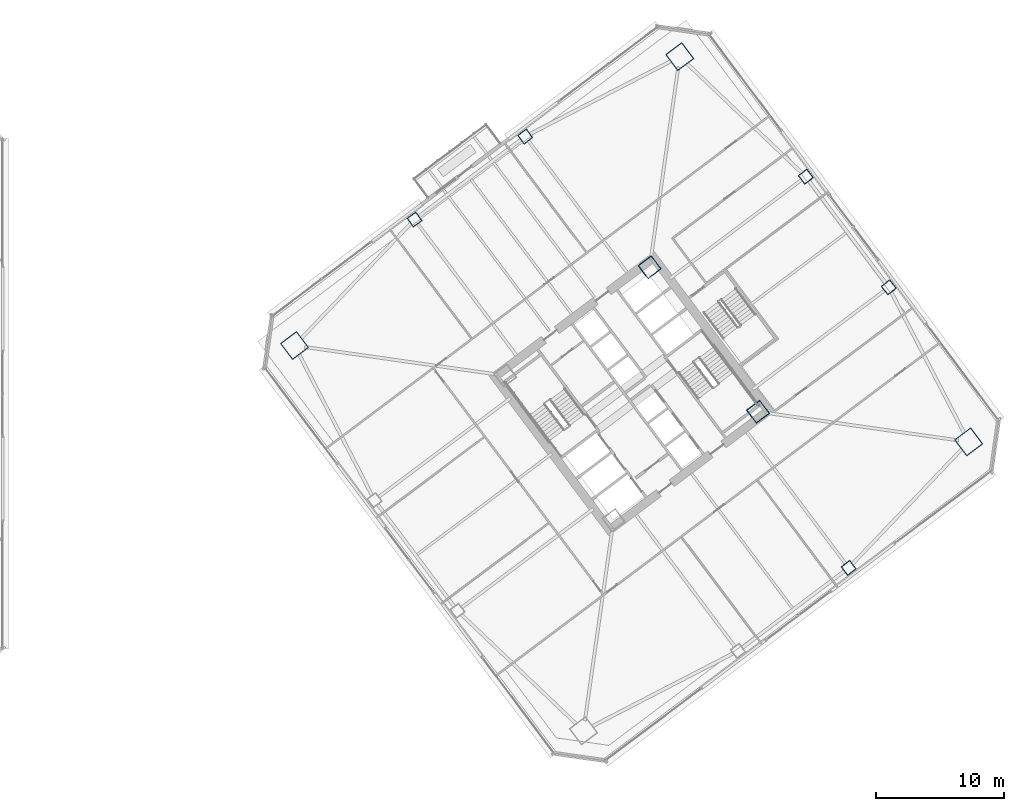
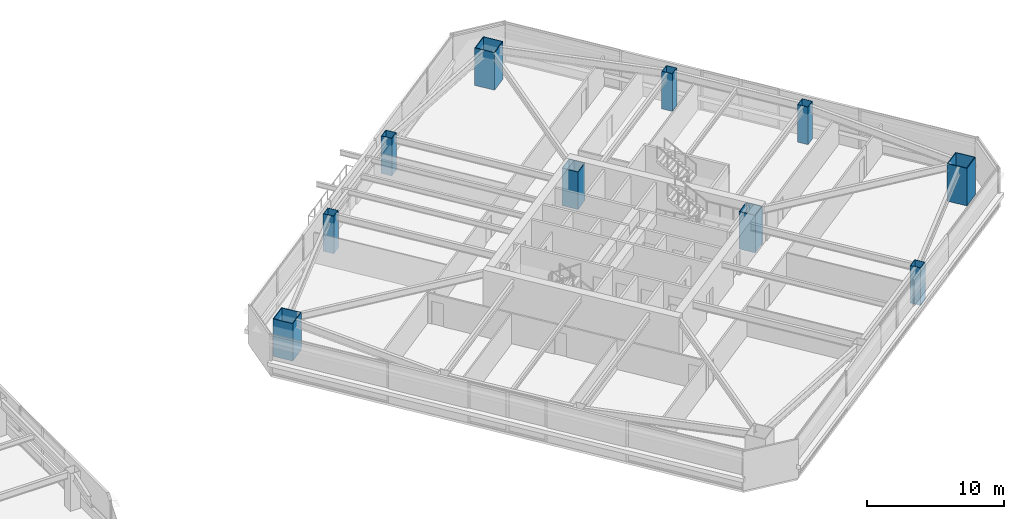
# One storey, part 2 of 45: 10 columns.
"""IFC4 building model written with IfcOpenShell, lengths in metres."""

from ifc_helpers import new_model, si_unit, direction, frame, origin, origin_2d, place, context, subcontext, project, spatial, hollow_rectangle, extrude, material, material_profile, profile_set, type_object, element, save


model = new_model("IFC4")

# Units and contexts
model_context = context("Model", 3, precision=1e-05, world=origin(), true_north=direction((0.0, 1.0)))
body_context = subcontext(model_context, "Body", "Model", "MODEL_VIEW")
ifc_project = project(units=[si_unit("LENGTHUNIT", "METRE"), si_unit("AREAUNIT", "SQUARE_METRE"), si_unit("VOLUMEUNIT", "CUBIC_METRE"), si_unit("PLANEANGLEUNIT", "RADIAN"), si_unit("MASSUNIT", "GRAM", prefix="KILO")], contexts=[model_context])

# Site, building, storey
site_placement = place(None, origin())
site = spatial("IfcSite", under=ifc_project, at=site_placement, CompositionType="ELEMENT")
building_placement = place(site_placement, origin())
building = spatial("IfcBuilding", under=site, at=building_placement, Name="Tashvorn Skyway Center", CompositionType="ELEMENT")
storey_placement = place(building_placement, frame((0.0, 0.0, 35.25)))
storey = spatial("IfcBuildingStorey", under=building, at=storey_placement, Name="L08", CompositionType="ELEMENT", Elevation=35.25)

# Columns
ifc_material = material(Name="Steel ASTM A572 Grade 50", Category="steel")
ifc_material_profile_1 = material_profile(ifc_material, hollow_rectangle(XDim=1.300048828125, YDim=1.300048828125, WallThickness=0.050048828125, at=origin_2d()), Name="BOX1300x1300x50")
ifc_profile_set_1 = profile_set([ifc_material_profile_1], Name="Steel ASTM A572 Grade 50")
column_type_1 = type_object("IfcColumnType", Name="COL-BOX1300x1300x50", PredefinedType="COLUMN", material=ifc_profile_set_1)
for number, where, z_axis, x_axis, name in (
    (1, (123.8701171875, 30.590087890625, 0.0), (0.0, 0.0, 1.0), (0.799999996291, 0.600000004945, 0.0), "Tower 2 L08 Core Corner Column CC-SE"),
    (2, (115.409912109375, 41.8701171875, 0.0), (0.0, 0.0, 1.0), (0.799999996291, 0.600000004945, 0.0), "Tower 2 L08 Core Corner Column CC-NE"),
):
    element("IfcColumn", number, at=place(storey_placement, frame(where, z_axis=z_axis, x_axis=x_axis)), inside=storey, type_object=column_type_1, Name=name, PredefinedType="COLUMN", context=body_context, shape_type="SweptSolid", body=[
        extrude(hollow_rectangle(XDim=1.300048828125, YDim=1.300048828125, WallThickness=0.050048828125, at=origin_2d()), origin(), (0.0, 0.0, 1.0), 3.35009765625),
    ])
ifc_material_profile_2 = material_profile(ifc_material, hollow_rectangle(XDim=1.60009765625, YDim=1.60009765625, WallThickness=0.06005859375, at=origin_2d()), Name="BOX1600x1600x60")
ifc_profile_set_2 = profile_set([ifc_material_profile_2], Name="Steel ASTM A572 Grade 50")
column_type_2 = type_object("IfcColumnType", Name="COL-BOX1600x1600x60", PredefinedType="COLUMN", material=ifc_profile_set_2)
for number, where, z_axis, x_axis, name in (
    (3, (140.320068359375, 28.239990234375, 0.0), (0.0, 0.0, 1.0), (0.799999996291, 0.600000004945, 0.0), "Tower 2 L08 Mega-Column MC-SE"),
    (4, (117.760009765625, 58.320068359375, 0.0), (0.0, 0.0, 1.0), (0.799999996291, 0.600000004945, 0.0), "Tower 2 L08 Mega-Column MC-NE"),
    (5, (87.679931640625, 35.760009765625, 0.0), (0.0, 0.0, 1.0), (0.799999996291, 0.600000004945, 0.0), "Tower 2 L08 Mega-Column MC-NW"),
):
    element("IfcColumn", number, at=place(storey_placement, frame(where, z_axis=z_axis, x_axis=x_axis)), inside=storey, type_object=column_type_2, Name=name, PredefinedType="COLUMN", context=body_context, shape_type="SweptSolid", body=[
        extrude(hollow_rectangle(XDim=1.60009765625, YDim=1.60009765625, WallThickness=0.06005859375, at=origin_2d()), origin(), (0.0, 0.0, 1.0), 3.35009765625),
    ])
ifc_material_profile_3 = material_profile(ifc_material, hollow_rectangle(XDim=0.85009765625, YDim=0.85009765625, WallThickness=0.034912109375, at=origin_2d()), Name="BOX850x850x35")
ifc_profile_set_3 = profile_set([ifc_material_profile_3], Name="Steel ASTM A572 Grade 50")
column_type_3 = type_object("IfcColumnType", Name="COL-BOX850x850x35", PredefinedType="COLUMN", material=ifc_profile_set_3)
for number, where, z_axis, x_axis, name in (
    (6, (130.949951171875, 18.39990234375, 0.0), (0.0, 0.0, 1.0), (0.799999996291, 0.600000004945, 0.0), "Tower 2 L08 Perimeter Column FC-S2"),
    (7, (134.080078125, 40.31005859375, 0.0), (0.0, 0.0, 1.0), (0.799999996291, 0.600000004945, 0.0), "Tower 2 L08 Perimeter Column FC-E1"),
    (8, (127.60009765625, 48.949951171875, 0.0), (0.0, 0.0, 1.0), (0.799999996291, 0.600000004945, 0.0), "Tower 2 L08 Perimeter Column FC-E2"),
    (9, (105.68994140625, 52.080078125, 0.0), (0.0, 0.0, 1.0), (0.799999996291, 0.600000004945, 0.0), "Tower 2 L08 Perimeter Column FC-N1"),
    (10, (97.050048828125, 45.60009765625, 0.0), (0.0, 0.0, 1.0), (0.799999996291, 0.600000004945, 0.0), "Tower 2 L08 Perimeter Column FC-N2"),
):
    element("IfcColumn", number, at=place(storey_placement, frame(where, z_axis=z_axis, x_axis=x_axis)), inside=storey, type_object=column_type_3, Name=name, PredefinedType="COLUMN", context=body_context, shape_type="SweptSolid", body=[
        extrude(hollow_rectangle(XDim=0.85009765625, YDim=0.85009765625, WallThickness=0.034912109375, at=origin_2d()), origin(), (0.0, 0.0, 1.0), 3.35009765625),
    ])

save(model, "model.ifc")
